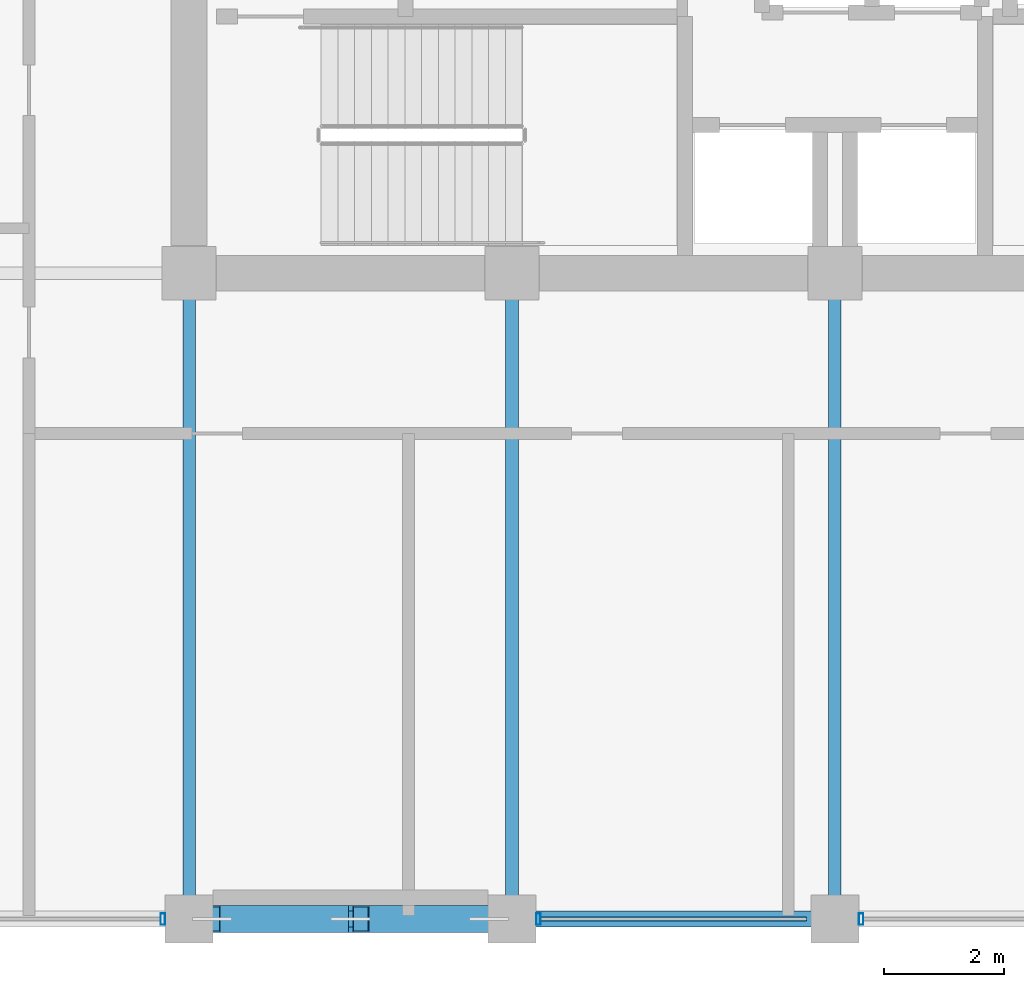
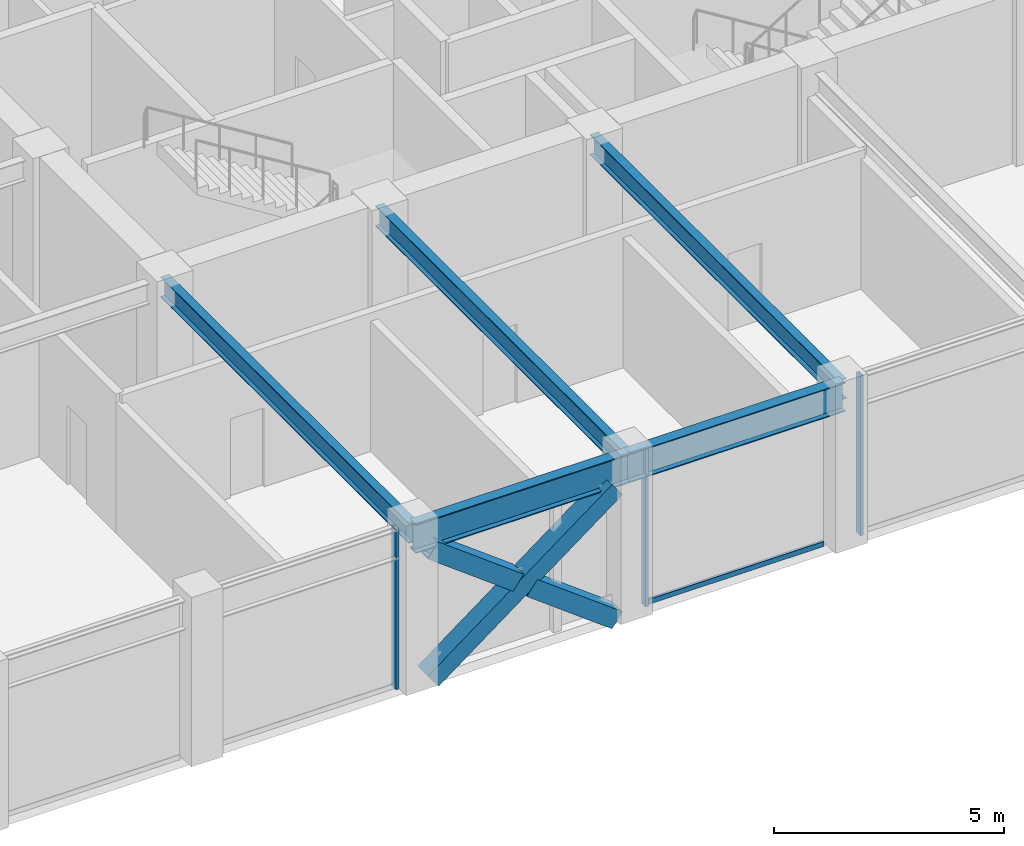
# One storey, part 5 of 28: 7 members, 5 beams, 2 elements without a shape of their own.
"""IFC4 building model written with IfcOpenShell, lengths in metres."""

from ifc_helpers import new_model, si_unit, direction, frame, origin, origin_2d, place, context, subcontext, project, spatial, hollow_rectangle, i_section, extrude, material, layer, layer_set, material_profile, profile_set, type_object, element, aggregate, save


model = new_model("IFC4")

# Units and contexts
model_context = context("Model", 3, precision=1e-05, world=origin(), true_north=direction((0.0, 1.0)))
body_context = subcontext(model_context, "Body", "Model", "MODEL_VIEW")
ifc_project = project(units=[si_unit("LENGTHUNIT", "METRE"), si_unit("AREAUNIT", "SQUARE_METRE"), si_unit("VOLUMEUNIT", "CUBIC_METRE"), si_unit("PLANEANGLEUNIT", "RADIAN"), si_unit("MASSUNIT", "GRAM", prefix="KILO")], contexts=[model_context])

# Site, building, storey
site_placement = place(None, origin())
site = spatial("IfcSite", under=ifc_project, at=site_placement, CompositionType="ELEMENT")
building_placement = place(site_placement, origin())
building = spatial("IfcBuilding", under=site, at=building_placement, Name="Surkhivell Harbour Commons", CompositionType="ELEMENT")
storey_placement = place(building_placement, frame((0.0, 0.0, 249.75)))
storey = spatial("IfcBuildingStorey", under=building, at=storey_placement, Name="L65", CompositionType="ELEMENT", Elevation=249.75)

# Beams
ifc_material_1 = material(Name="Steel S355", Category="steel")
ifc_material_profile_1 = material_profile(ifc_material_1, i_section(OverallWidth=0.2119140625, OverallDepth=0.5439453125, WebThickness=0.0126953125, FlangeThickness=0.021240234375, at=origin_2d()), Name="UB533x210x122")
ifc_profile_set_1 = profile_set([ifc_material_profile_1], Name="Steel S355")
beam_type_1 = type_object("IfcBeamType", Name="BM-GRD-533A", PredefinedType="BEAM", material=ifc_profile_set_1)
for number, where, z_axis, x_axis, name in (
    (1, (-10.800048828125, -21.60009765625, 3.97802734375), (0.0, 1.0, 0.0), (-1.0, 0.0, 0.0), "L65 Floor Girder (-10.8,-21.6)"),
    (2, (-5.39990234375, -21.60009765625, 3.97802734375), (0.0, 1.0, 0.0), (-1.0, 0.0, 0.0), "L65 Floor Girder (-5.4,-21.6)"),
    (3, (0.0, -21.60009765625, 3.97802734375), (0.0, 1.0, 0.0), (-1.0, 0.0, 0.0), "L65 Floor Girder (0.0,-21.6)"),
):
    element("IfcBeam", number, at=place(storey_placement, frame(where, z_axis=z_axis, x_axis=x_axis)), inside=storey, type_object=beam_type_1, Name=name, PredefinedType="BEAM", context=body_context, shape_type="SweptSolid", body=[
        extrude(i_section(OverallWidth=0.2119140625, OverallDepth=0.5439453125, WebThickness=0.0126953125, FlangeThickness=0.021240234375, at=origin_2d()), origin(), (0.0, 0.0, 1.0), 10.800048828125),
    ])
ifc_material_profile_2 = material_profile(ifc_material_1, i_section(OverallWidth=0.26806640625, OverallDepth=0.77001953125, WebThickness=0.015625, FlangeThickness=0.025390625, at=origin_2d()), Name="UB762x267x197")
ifc_profile_set_2 = profile_set([ifc_material_profile_2], Name="Steel S355")
beam_type_2 = type_object("IfcBeamType", Name="BM-SPN-762", PredefinedType="SPANDREL", material=ifc_profile_set_2)
beam_1_placement = place(storey_placement, frame((-10.800048828125, -21.60009765625, 3.864990234375), z_axis=(1.0, 0.0, 0.0), x_axis=(0.0, 1.0, 0.0)))
element("IfcBeam", 4, at=beam_1_placement, inside=storey, type_object=beam_type_2, Name="L65 Tube Spandrel (-10.8,-21.6)", PredefinedType="SPANDREL", context=body_context, shape_type="SweptSolid", body=[
    extrude(i_section(OverallWidth=0.26806640625, OverallDepth=0.77001953125, WebThickness=0.015625, FlangeThickness=0.025390625, at=origin_2d()), origin(), (0.0, 0.0, 1.0), 5.400146484375),
])
beam_2_placement = place(storey_placement, frame((-5.39990234375, -21.60009765625, 3.864990234375), z_axis=(1.0, 0.0, 0.0), x_axis=(0.0, 1.0, 0.0)))
element("IfcBeam", 5, at=beam_2_placement, inside=storey, type_object=beam_type_2, Name="L65 Tube Spandrel (-5.4,-21.6)", PredefinedType="SPANDREL", context=body_context, shape_type="SweptSolid", body=[
    extrude(i_section(OverallWidth=0.26806640625, OverallDepth=0.77001953125, WebThickness=0.015625, FlangeThickness=0.025390625, at=origin_2d()), origin(), (0.0, 0.0, 1.0), 5.39990234375),
])

# Curtain wall, member
ifc_material_2 = material(Name="Anodised pale-metal aluminium and insulated glazing", Category="aluminium")
ifc_layer = layer(ifc_material_2, 0.18994140625)
ifc_layer_set = layer_set([ifc_layer], Name="Anodised pale-metal aluminium and insulated glazing")
curtain_wall_type = type_object("IfcCurtainWallType", Name="CW-SYS-Z3", PredefinedType="NOTDEFINED", material=ifc_layer_set)
curtain_wall_1_placement = place(storey_placement, origin())
curtain_wall_1 = element("IfcCurtainWall", 6, at=curtain_wall_1_placement, inside=storey, type_object=curtain_wall_type, Name="L65 Curtain Wall CW-L65-E00S1", PredefinedType="NOTDEFINED")
ifc_material_3 = material(Name="Anodised pale-metal aluminium alloy 6063-T6", Category="aluminium")
ifc_material_profile_3 = material_profile(ifc_material_3, hollow_rectangle(XDim=0.074951171875, YDim=0.18994140625, WallThickness=0.00390625, at=origin_2d()), Name="ALU-MULL-75x190")
ifc_profile_set_3 = profile_set([ifc_material_profile_3], Name="Anodised pale-metal aluminium alloy 6063-T6")
member_type_1 = type_object("IfcMemberType", Name="CWM-190", PredefinedType="MULLION", material=ifc_profile_set_3)
member_1_placement = place(storey_placement, frame((-11.239501953125, -21.60009765625, 0.0), z_axis=(0.0, 0.0, 1.0), x_axis=(1.0, 0.0, 0.0)))
member_1 = element("IfcMember", 7, at=member_1_placement, type_object=member_type_1, Name="CW-Z3 mullion 3", PredefinedType="MULLION", context=body_context, shape_type="SweptSolid", body=[
    extrude(hollow_rectangle(XDim=0.074951171875, YDim=0.18994140625, WallThickness=0.00390625, at=origin_2d()), origin(), (0.0, 0.0, 1.0), 4.25),
])
aggregate(curtain_wall_1, [member_1])

# Curtain wall, members
curtain_wall_2_placement = place(storey_placement, origin())
curtain_wall_2 = element("IfcCurtainWall", 8, at=curtain_wall_2_placement, inside=storey, type_object=curtain_wall_type, Name="L65 Curtain Wall CW-L65-E00S2", PredefinedType="NOTDEFINED")
member_2_placement = place(storey_placement, frame((-4.96044921875, -21.60009765625, 0.0), z_axis=(0.0, 0.0, 1.0), x_axis=(1.0, 0.0, 0.0)))
member_2 = element("IfcMember", 9, at=member_2_placement, type_object=member_type_1, Name="CW-Z3 mullion 1", PredefinedType="MULLION", context=body_context, shape_type="SweptSolid", body=[
    extrude(hollow_rectangle(XDim=0.074951171875, YDim=0.18994140625, WallThickness=0.00390625, at=origin_2d()), origin(), (0.0, 0.0, 1.0), 4.25),
])
member_3_placement = place(storey_placement, frame((0.439453125, -21.60009765625, 0.0), z_axis=(0.0, 0.0, 1.0), x_axis=(1.0, 0.0, 0.0)))
member_3 = element("IfcMember", 10, at=member_3_placement, type_object=member_type_1, Name="CW-Z3 mullion 2", PredefinedType="MULLION", context=body_context, shape_type="SweptSolid", body=[
    extrude(hollow_rectangle(XDim=0.074951171875, YDim=0.18994140625, WallThickness=0.00390625, at=origin_2d()), origin(), (0.0, 0.0, 1.0), 4.25),
])
ifc_material_4 = material(Name="Champagne anodised aluminium alloy 6063-T6", Category="aluminium")
ifc_material_profile_4 = material_profile(ifc_material_4, hollow_rectangle(XDim=0.070068359375, YDim=0.1298828125, WallThickness=0.00341796875, at=origin_2d()), Name="ALU-TRAN-70x130")
ifc_profile_set_4 = profile_set([ifc_material_profile_4], Name="Champagne anodised aluminium alloy 6063-T6")
member_type_2 = type_object("IfcMemberType", Name="CWT-130", PredefinedType="USERDEFINED", material=ifc_profile_set_4)
member_4_placement = place(storey_placement, frame((-4.923095703125, -21.60009765625, 0.06494140625), z_axis=(1.0, 0.0, 0.0), x_axis=(0.0, 1.0, 0.0)))
member_4 = element("IfcMember", 11, at=member_4_placement, type_object=member_type_2, Name="CW-Z3 transom 1.1", ObjectType="TRANSOM", PredefinedType="USERDEFINED", context=body_context, shape_type="SweptSolid", body=[
    extrude(hollow_rectangle(XDim=0.070068359375, YDim=0.1298828125, WallThickness=0.00341796875, at=origin_2d()), origin(), (0.0, 0.0, 1.0), 4.446044921875),
])
aggregate(curtain_wall_2, [member_2, member_4, member_3])

# Members
ifc_material_5 = material(Name="Steel S460", Category="steel")
ifc_material_profile_5 = material_profile(ifc_material_5, hollow_rectangle(XDim=0.449951171875, YDim=0.449951171875, WallThickness=0.02197265625, at=origin_2d()), Name="SHS450x450x22")
ifc_profile_set_5 = profile_set([ifc_material_profile_5], Name="Steel S460")
member_type_3 = type_object("IfcMemberType", Name="MEM-BRC-SHS450", PredefinedType="BRACE", material=ifc_profile_set_5)
member_5_placement = place(storey_placement, frame((-10.4150390625, -21.60009765625, 0.008056640625), z_axis=(0.799731726366, 0.0, 0.600357531678), x_axis=(0.0, 1.0, 0.0)))
element("IfcMember", 12, at=member_5_placement, inside=storey, type_object=member_type_3, Name="L65 Perimeter Mega-Brace MB- 07", PredefinedType="BRACE", context=body_context, shape_type="SweptSolid", body=[
    extrude(hollow_rectangle(XDim=0.449951171875, YDim=0.449951171875, WallThickness=0.02197265625, at=origin_2d()), origin(), (0.0, 0.0, 1.0), 5.78955078125),
])
for number, where, z_axis, x_axis, name in (
    (13, (-5.784912109375, -21.60009765625, 0.008056640625), (-0.799748384904, 0.0, 0.600335340326), (0.0, -1.0, 0.0), "L65 Perimeter Mega-Brace MB- 08"),
    (14, (-8.272705078125, -21.60009765625, 1.875732421875), (-0.799748384904, 0.0, 0.600335340326), (0.0, -1.0, 0.0), "L65 Perimeter Mega-Brace MB- 09"),
):
    element("IfcMember", number, at=place(storey_placement, frame(where, z_axis=z_axis, x_axis=x_axis)), inside=storey, type_object=member_type_3, Name=name, PredefinedType="BRACE", context=body_context, shape_type="SweptSolid", body=[
        extrude(hollow_rectangle(XDim=0.449951171875, YDim=0.449951171875, WallThickness=0.02197265625, at=origin_2d()), origin(), (0.0, 0.0, 1.0), 2.6787109375),
    ])

save(model, "model.ifc")
